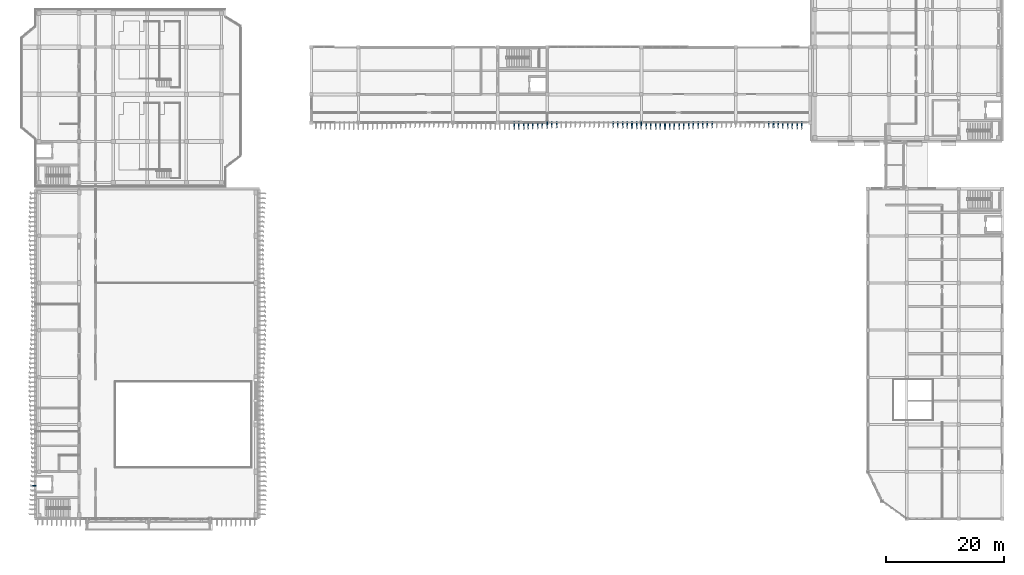
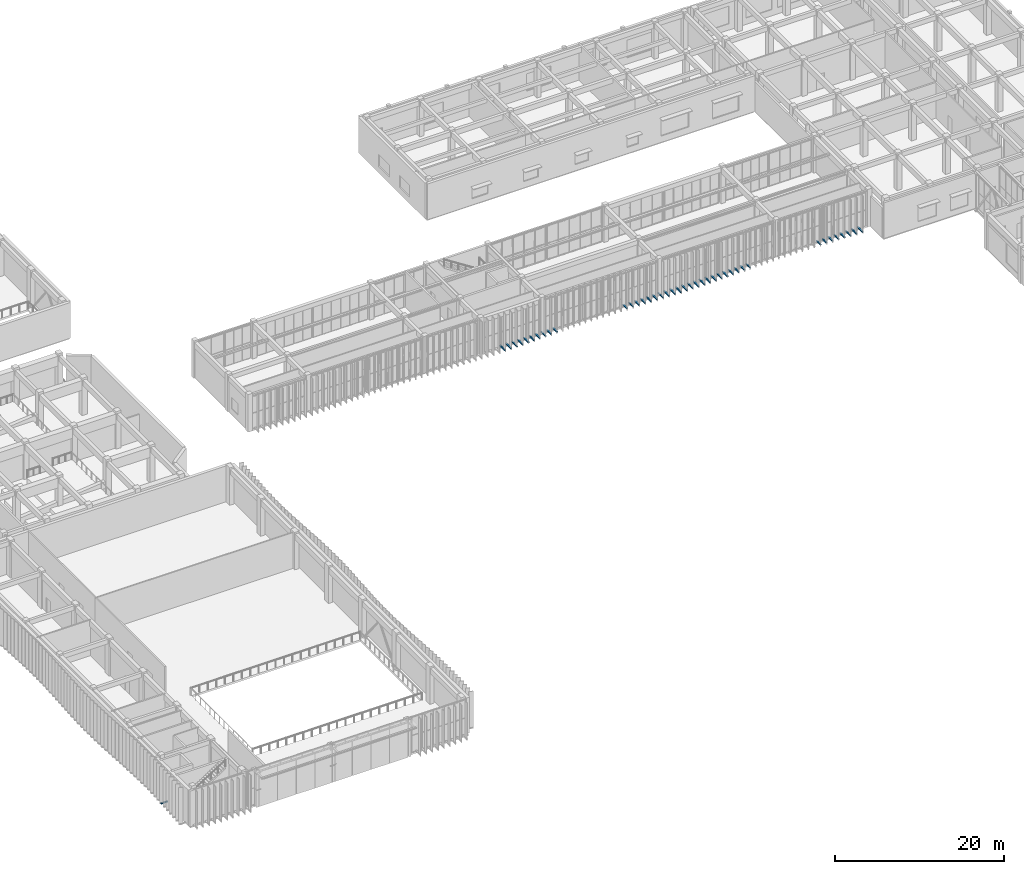
# One storey, part 49 of 64: 41 discrete accessories.
"""IFC4 building model written with IfcOpenShell, lengths in metres."""

from ifc_helpers import new_model, si_unit, direction, frame, origin, origin_2d, place, context, subcontext, project, spatial, rectangle, extrude, material, type_object, element, save


model = new_model("IFC4")

# Units and contexts
model_context = context("Model", 3, precision=1e-05, world=origin(), true_north=direction((0.0, 1.0)))
body_context = subcontext(model_context, "Body", "Model", "MODEL_VIEW")
ifc_project = project(units=[si_unit("LENGTHUNIT", "METRE"), si_unit("AREAUNIT", "SQUARE_METRE"), si_unit("VOLUMEUNIT", "CUBIC_METRE"), si_unit("PLANEANGLEUNIT", "RADIAN"), si_unit("MASSUNIT", "GRAM", prefix="KILO")], contexts=[model_context])

# Site, building, storey
site_placement = place(None, origin())
site = spatial("IfcSite", under=ifc_project, at=site_placement, CompositionType="ELEMENT")
building_placement = place(site_placement, origin())
building = spatial("IfcBuilding", under=site, at=building_placement, Name="Cinchona Park Media Centre", CompositionType="ELEMENT")
storey_placement = place(building_placement, frame((0.0, 0.0, 10.199951171875)))
storey = spatial("IfcBuildingStorey", under=building, at=storey_placement, Name="L02", CompositionType="ELEMENT", Elevation=10.199951171875)

# Discrete accessories
ifc_material = material(Name="Steel S355", Category="steel")
discrete_accessory_type = type_object("IfcDiscreteAccessoryType", Name="BRACKET-BRK01", PredefinedType="BRACKET", material=ifc_material)
discrete_accessory_1_placement = place(storey_placement, frame((7.68994140625, 13.199951171875, 0.0400390625), z_axis=(0.0, 0.0, 1.0), x_axis=(0.0, -1.0, 0.0)))
element("IfcDiscreteAccessory", 1, at=discrete_accessory_1_placement, inside=storey, type_object=discrete_accessory_type, Name="Facade Fin Outrigger Bracket L02", PredefinedType="BRACKET", context=body_context, shape_type="SweptSolid", body=[
    extrude(rectangle(XDim=0.179931640625, YDim=0.93994140625, at=origin_2d()), origin(), (0.0, 0.0, 1.0), 0.159912109375),
])
discrete_accessory_2_placement = place(storey_placement, frame((89.199951171875, 74.322998046875, 0.0400390625), z_axis=(0.0, 0.0, 1.0), x_axis=(1.0, 0.0, 0.0)))
element("IfcDiscreteAccessory", 2, at=discrete_accessory_2_placement, inside=storey, type_object=discrete_accessory_type, Name="Facade Fin Outrigger Bracket L02", PredefinedType="BRACKET", context=body_context, shape_type="SweptSolid", body=[
    extrude(rectangle(XDim=0.179931640625, YDim=1.27392578125, at=origin_2d()), origin(), (0.0, 0.0, 1.0), 0.159912109375),
])
discrete_accessory_3_placement = place(storey_placement, frame((90.0, 74.3291015625, 0.0400390625), z_axis=(0.0, 0.0, 1.0), x_axis=(1.0, 0.0, 0.0)))
element("IfcDiscreteAccessory", 3, at=discrete_accessory_3_placement, inside=storey, type_object=discrete_accessory_type, Name="Facade Fin Outrigger Bracket L02", PredefinedType="BRACKET", context=body_context, shape_type="SweptSolid", body=[
    extrude(rectangle(XDim=0.179931640625, YDim=1.260986328125, at=origin_2d()), origin(), (0.0, 0.0, 1.0), 0.159912109375),
])
discrete_accessory_4_placement = place(storey_placement, frame((90.800048828125, 74.339111328125, 0.0400390625), z_axis=(0.0, 0.0, 1.0), x_axis=(1.0, 0.0, 0.0)))
element("IfcDiscreteAccessory", 4, at=discrete_accessory_4_placement, inside=storey, type_object=discrete_accessory_type, Name="Facade Fin Outrigger Bracket L02", PredefinedType="BRACKET", context=body_context, shape_type="SweptSolid", body=[
    extrude(rectangle(XDim=0.179931640625, YDim=1.240966796875, at=origin_2d()), origin(), (0.0, 0.0, 1.0), 0.159912109375),
])
discrete_accessory_5_placement = place(storey_placement, frame((91.60009765625, 74.35302734375, 0.0400390625), z_axis=(0.0, 0.0, 1.0), x_axis=(1.0, 0.0, 0.0)))
element("IfcDiscreteAccessory", 5, at=discrete_accessory_5_placement, inside=storey, type_object=discrete_accessory_type, Name="Facade Fin Outrigger Bracket L02", PredefinedType="BRACKET", context=body_context, shape_type="SweptSolid", body=[
    extrude(rectangle(XDim=0.179931640625, YDim=1.215087890625, at=origin_2d()), origin(), (0.0, 0.0, 1.0), 0.159912109375),
])
discrete_accessory_6_placement = place(storey_placement, frame((92.39990234375, 74.367919921875, 0.0400390625), z_axis=(0.0, 0.0, 1.0), x_axis=(1.0, 0.0, 0.0)))
element("IfcDiscreteAccessory", 6, at=discrete_accessory_6_placement, inside=storey, type_object=discrete_accessory_type, Name="Facade Fin Outrigger Bracket L02", PredefinedType="BRACKET", context=body_context, shape_type="SweptSolid", body=[
    extrude(rectangle(XDim=0.179931640625, YDim=1.18408203125, at=origin_2d()), origin(), (0.0, 0.0, 1.0), 0.159912109375),
])
discrete_accessory_7_placement = place(storey_placement, frame((93.199951171875, 74.385986328125, 0.0400390625), z_axis=(0.0, 0.0, 1.0), x_axis=(1.0, 0.0, 0.0)))
element("IfcDiscreteAccessory", 7, at=discrete_accessory_7_placement, inside=storey, type_object=discrete_accessory_type, Name="Facade Fin Outrigger Bracket L02", PredefinedType="BRACKET", context=body_context, shape_type="SweptSolid", body=[
    extrude(rectangle(XDim=0.179931640625, YDim=1.14794921875, at=origin_2d()), origin(), (0.0, 0.0, 1.0), 0.159912109375),
])
discrete_accessory_8_placement = place(storey_placement, frame((94.0, 74.405029296875, 0.0400390625), z_axis=(0.0, 0.0, 1.0), x_axis=(1.0, 0.0, 0.0)))
element("IfcDiscreteAccessory", 8, at=discrete_accessory_8_placement, inside=storey, type_object=discrete_accessory_type, Name="Facade Fin Outrigger Bracket L02", PredefinedType="BRACKET", context=body_context, shape_type="SweptSolid", body=[
    extrude(rectangle(XDim=0.179931640625, YDim=1.110107421875, at=origin_2d()), origin(), (0.0, 0.0, 1.0), 0.159912109375),
])
discrete_accessory_9_placement = place(storey_placement, frame((94.800048828125, 74.425048828125, 0.0400390625), z_axis=(0.0, 0.0, 1.0), x_axis=(1.0, 0.0, 0.0)))
element("IfcDiscreteAccessory", 9, at=discrete_accessory_9_placement, inside=storey, type_object=discrete_accessory_type, Name="Facade Fin Outrigger Bracket L02", PredefinedType="BRACKET", context=body_context, shape_type="SweptSolid", body=[
    extrude(rectangle(XDim=0.179931640625, YDim=1.070068359375, at=origin_2d()), origin(), (0.0, 0.0, 1.0), 0.159912109375),
])
discrete_accessory_10_placement = place(storey_placement, frame((95.60009765625, 74.445068359375, 0.0400390625), z_axis=(0.0, 0.0, 1.0), x_axis=(1.0, 0.0, 0.0)))
element("IfcDiscreteAccessory", 10, at=discrete_accessory_10_placement, inside=storey, type_object=discrete_accessory_type, Name="Facade Fin Outrigger Bracket L02", PredefinedType="BRACKET", context=body_context, shape_type="SweptSolid", body=[
    extrude(rectangle(XDim=0.179931640625, YDim=1.030029296875, at=origin_2d()), origin(), (0.0, 0.0, 1.0), 0.159912109375),
])
discrete_accessory_11_placement = place(storey_placement, frame((96.39990234375, 74.464111328125, 0.0400390625), z_axis=(0.0, 0.0, 1.0), x_axis=(1.0, 0.0, 0.0)))
element("IfcDiscreteAccessory", 11, at=discrete_accessory_11_placement, inside=storey, type_object=discrete_accessory_type, Name="Facade Fin Outrigger Bracket L02", PredefinedType="BRACKET", context=body_context, shape_type="SweptSolid", body=[
    extrude(rectangle(XDim=0.179931640625, YDim=0.991943359375, at=origin_2d()), origin(), (0.0, 0.0, 1.0), 0.159912109375),
])
discrete_accessory_12_placement = place(storey_placement, frame((106.0, 74.472900390625, 0.0400390625), z_axis=(0.0, 0.0, 1.0), x_axis=(1.0, 0.0, 0.0)))
element("IfcDiscreteAccessory", 12, at=discrete_accessory_12_placement, inside=storey, type_object=discrete_accessory_type, Name="Facade Fin Outrigger Bracket L02", PredefinedType="BRACKET", context=body_context, shape_type="SweptSolid", body=[
    extrude(rectangle(XDim=0.179931640625, YDim=0.97412109375, at=origin_2d()), origin(), (0.0, 0.0, 1.0), 0.159912109375),
])
discrete_accessory_13_placement = place(storey_placement, frame((106.800048828125, 74.455078125, 0.0400390625), z_axis=(0.0, 0.0, 1.0), x_axis=(1.0, 0.0, 0.0)))
element("IfcDiscreteAccessory", 13, at=discrete_accessory_13_placement, inside=storey, type_object=discrete_accessory_type, Name="Facade Fin Outrigger Bracket L02", PredefinedType="BRACKET", context=body_context, shape_type="SweptSolid", body=[
    extrude(rectangle(XDim=0.179931640625, YDim=1.010986328125, at=origin_2d()), origin(), (0.0, 0.0, 1.0), 0.159912109375),
])
discrete_accessory_14_placement = place(storey_placement, frame((107.60009765625, 74.43505859375, 0.0400390625), z_axis=(0.0, 0.0, 1.0), x_axis=(1.0, 0.0, 0.0)))
element("IfcDiscreteAccessory", 14, at=discrete_accessory_14_placement, inside=storey, type_object=discrete_accessory_type, Name="Facade Fin Outrigger Bracket L02", PredefinedType="BRACKET", context=body_context, shape_type="SweptSolid", body=[
    extrude(rectangle(XDim=0.179931640625, YDim=1.050048828125, at=origin_2d()), origin(), (0.0, 0.0, 1.0), 0.159912109375),
])
discrete_accessory_15_placement = place(storey_placement, frame((108.39990234375, 74.4150390625, 0.0400390625), z_axis=(0.0, 0.0, 1.0), x_axis=(1.0, 0.0, 0.0)))
element("IfcDiscreteAccessory", 15, at=discrete_accessory_15_placement, inside=storey, type_object=discrete_accessory_type, Name="Facade Fin Outrigger Bracket L02", PredefinedType="BRACKET", context=body_context, shape_type="SweptSolid", body=[
    extrude(rectangle(XDim=0.179931640625, YDim=1.090087890625, at=origin_2d()), origin(), (0.0, 0.0, 1.0), 0.159912109375),
])
discrete_accessory_16_placement = place(storey_placement, frame((109.199951171875, 74.39501953125, 0.0400390625), z_axis=(0.0, 0.0, 1.0), x_axis=(1.0, 0.0, 0.0)))
element("IfcDiscreteAccessory", 16, at=discrete_accessory_16_placement, inside=storey, type_object=discrete_accessory_type, Name="Facade Fin Outrigger Bracket L02", PredefinedType="BRACKET", context=body_context, shape_type="SweptSolid", body=[
    extrude(rectangle(XDim=0.179931640625, YDim=1.12890625, at=origin_2d()), origin(), (0.0, 0.0, 1.0), 0.159912109375),
])
discrete_accessory_17_placement = place(storey_placement, frame((110.0, 74.376953125, 0.0400390625), z_axis=(0.0, 0.0, 1.0), x_axis=(1.0, 0.0, 0.0)))
element("IfcDiscreteAccessory", 17, at=discrete_accessory_17_placement, inside=storey, type_object=discrete_accessory_type, Name="Facade Fin Outrigger Bracket L02", PredefinedType="BRACKET", context=body_context, shape_type="SweptSolid", body=[
    extrude(rectangle(XDim=0.179931640625, YDim=1.166015625, at=origin_2d()), origin(), (0.0, 0.0, 1.0), 0.159912109375),
])
discrete_accessory_18_placement = place(storey_placement, frame((110.800048828125, 74.360107421875, 0.0400390625), z_axis=(0.0, 0.0, 1.0), x_axis=(1.0, 0.0, 0.0)))
element("IfcDiscreteAccessory", 18, at=discrete_accessory_18_placement, inside=storey, type_object=discrete_accessory_type, Name="Facade Fin Outrigger Bracket L02", PredefinedType="BRACKET", context=body_context, shape_type="SweptSolid", body=[
    extrude(rectangle(XDim=0.179931640625, YDim=1.199951171875, at=origin_2d()), origin(), (0.0, 0.0, 1.0), 0.159912109375),
])
discrete_accessory_19_placement = place(storey_placement, frame((111.60009765625, 74.345947265625, 0.0400390625), z_axis=(0.0, 0.0, 1.0), x_axis=(1.0, 0.0, 0.0)))
element("IfcDiscreteAccessory", 19, at=discrete_accessory_19_placement, inside=storey, type_object=discrete_accessory_type, Name="Facade Fin Outrigger Bracket L02", PredefinedType="BRACKET", context=body_context, shape_type="SweptSolid", body=[
    extrude(rectangle(XDim=0.179931640625, YDim=1.22900390625, at=origin_2d()), origin(), (0.0, 0.0, 1.0), 0.159912109375),
])
discrete_accessory_20_placement = place(storey_placement, frame((112.39990234375, 74.333984375, 0.0400390625), z_axis=(0.0, 0.0, 1.0), x_axis=(1.0, 0.0, 0.0)))
element("IfcDiscreteAccessory", 20, at=discrete_accessory_20_placement, inside=storey, type_object=discrete_accessory_type, Name="Facade Fin Outrigger Bracket L02", PredefinedType="BRACKET", context=body_context, shape_type="SweptSolid", body=[
    extrude(rectangle(XDim=0.179931640625, YDim=1.251953125, at=origin_2d()), origin(), (0.0, 0.0, 1.0), 0.159912109375),
])
discrete_accessory_21_placement = place(storey_placement, frame((113.199951171875, 74.325927734375, 0.0400390625), z_axis=(0.0, 0.0, 1.0), x_axis=(1.0, 0.0, 0.0)))
element("IfcDiscreteAccessory", 21, at=discrete_accessory_21_placement, inside=storey, type_object=discrete_accessory_type, Name="Facade Fin Outrigger Bracket L02", PredefinedType="BRACKET", context=body_context, shape_type="SweptSolid", body=[
    extrude(rectangle(XDim=0.179931640625, YDim=1.26806640625, at=origin_2d()), origin(), (0.0, 0.0, 1.0), 0.159912109375),
])
discrete_accessory_22_placement = place(storey_placement, frame((114.0, 74.321044921875, 0.0400390625), z_axis=(0.0, 0.0, 1.0), x_axis=(1.0, 0.0, 0.0)))
element("IfcDiscreteAccessory", 22, at=discrete_accessory_22_placement, inside=storey, type_object=discrete_accessory_type, Name="Facade Fin Outrigger Bracket L02", PredefinedType="BRACKET", context=body_context, shape_type="SweptSolid", body=[
    extrude(rectangle(XDim=0.179931640625, YDim=1.278076171875, at=origin_2d()), origin(), (0.0, 0.0, 1.0), 0.159912109375),
])
discrete_accessory_23_placement = place(storey_placement, frame((114.800048828125, 74.320068359375, 0.0400390625), z_axis=(0.0, 0.0, 1.0), x_axis=(1.0, 0.0, 0.0)))
element("IfcDiscreteAccessory", 23, at=discrete_accessory_23_placement, inside=storey, type_object=discrete_accessory_type, Name="Facade Fin Outrigger Bracket L02", PredefinedType="BRACKET", context=body_context, shape_type="SweptSolid", body=[
    extrude(rectangle(XDim=0.179931640625, YDim=1.280029296875, at=origin_2d()), origin(), (0.0, 0.0, 1.0), 0.159912109375),
])
discrete_accessory_24_placement = place(storey_placement, frame((115.60009765625, 74.322998046875, 0.0400390625), z_axis=(0.0, 0.0, 1.0), x_axis=(1.0, 0.0, 0.0)))
element("IfcDiscreteAccessory", 24, at=discrete_accessory_24_placement, inside=storey, type_object=discrete_accessory_type, Name="Facade Fin Outrigger Bracket L02", PredefinedType="BRACKET", context=body_context, shape_type="SweptSolid", body=[
    extrude(rectangle(XDim=0.179931640625, YDim=1.27392578125, at=origin_2d()), origin(), (0.0, 0.0, 1.0), 0.159912109375),
])
discrete_accessory_25_placement = place(storey_placement, frame((116.39990234375, 74.3291015625, 0.0400390625), z_axis=(0.0, 0.0, 1.0), x_axis=(1.0, 0.0, 0.0)))
element("IfcDiscreteAccessory", 25, at=discrete_accessory_25_placement, inside=storey, type_object=discrete_accessory_type, Name="Facade Fin Outrigger Bracket L02", PredefinedType="BRACKET", context=body_context, shape_type="SweptSolid", body=[
    extrude(rectangle(XDim=0.179931640625, YDim=1.260986328125, at=origin_2d()), origin(), (0.0, 0.0, 1.0), 0.159912109375),
])
discrete_accessory_26_placement = place(storey_placement, frame((117.199951171875, 74.339111328125, 0.0400390625), z_axis=(0.0, 0.0, 1.0), x_axis=(1.0, 0.0, 0.0)))
element("IfcDiscreteAccessory", 26, at=discrete_accessory_26_placement, inside=storey, type_object=discrete_accessory_type, Name="Facade Fin Outrigger Bracket L02", PredefinedType="BRACKET", context=body_context, shape_type="SweptSolid", body=[
    extrude(rectangle(XDim=0.179931640625, YDim=1.240966796875, at=origin_2d()), origin(), (0.0, 0.0, 1.0), 0.159912109375),
])
discrete_accessory_27_placement = place(storey_placement, frame((118.0, 74.35302734375, 0.0400390625), z_axis=(0.0, 0.0, 1.0), x_axis=(1.0, 0.0, 0.0)))
element("IfcDiscreteAccessory", 27, at=discrete_accessory_27_placement, inside=storey, type_object=discrete_accessory_type, Name="Facade Fin Outrigger Bracket L02", PredefinedType="BRACKET", context=body_context, shape_type="SweptSolid", body=[
    extrude(rectangle(XDim=0.179931640625, YDim=1.215087890625, at=origin_2d()), origin(), (0.0, 0.0, 1.0), 0.159912109375),
])
discrete_accessory_28_placement = place(storey_placement, frame((118.800048828125, 74.367919921875, 0.0400390625), z_axis=(0.0, 0.0, 1.0), x_axis=(1.0, 0.0, 0.0)))
element("IfcDiscreteAccessory", 28, at=discrete_accessory_28_placement, inside=storey, type_object=discrete_accessory_type, Name="Facade Fin Outrigger Bracket L02", PredefinedType="BRACKET", context=body_context, shape_type="SweptSolid", body=[
    extrude(rectangle(XDim=0.179931640625, YDim=1.18408203125, at=origin_2d()), origin(), (0.0, 0.0, 1.0), 0.159912109375),
])
discrete_accessory_29_placement = place(storey_placement, frame((119.60009765625, 74.385986328125, 0.0400390625), z_axis=(0.0, 0.0, 1.0), x_axis=(1.0, 0.0, 0.0)))
element("IfcDiscreteAccessory", 29, at=discrete_accessory_29_placement, inside=storey, type_object=discrete_accessory_type, Name="Facade Fin Outrigger Bracket L02", PredefinedType="BRACKET", context=body_context, shape_type="SweptSolid", body=[
    extrude(rectangle(XDim=0.179931640625, YDim=1.14794921875, at=origin_2d()), origin(), (0.0, 0.0, 1.0), 0.159912109375),
])
discrete_accessory_30_placement = place(storey_placement, frame((120.39990234375, 74.405029296875, 0.0400390625), z_axis=(0.0, 0.0, 1.0), x_axis=(1.0, 0.0, 0.0)))
element("IfcDiscreteAccessory", 30, at=discrete_accessory_30_placement, inside=storey, type_object=discrete_accessory_type, Name="Facade Fin Outrigger Bracket L02", PredefinedType="BRACKET", context=body_context, shape_type="SweptSolid", body=[
    extrude(rectangle(XDim=0.179931640625, YDim=1.110107421875, at=origin_2d()), origin(), (0.0, 0.0, 1.0), 0.159912109375),
])
discrete_accessory_31_placement = place(storey_placement, frame((121.199951171875, 74.425048828125, 0.0400390625), z_axis=(0.0, 0.0, 1.0), x_axis=(1.0, 0.0, 0.0)))
element("IfcDiscreteAccessory", 31, at=discrete_accessory_31_placement, inside=storey, type_object=discrete_accessory_type, Name="Facade Fin Outrigger Bracket L02", PredefinedType="BRACKET", context=body_context, shape_type="SweptSolid", body=[
    extrude(rectangle(XDim=0.179931640625, YDim=1.070068359375, at=origin_2d()), origin(), (0.0, 0.0, 1.0), 0.159912109375),
])
discrete_accessory_32_placement = place(storey_placement, frame((122.0, 74.445068359375, 0.0400390625), z_axis=(0.0, 0.0, 1.0), x_axis=(1.0, 0.0, 0.0)))
element("IfcDiscreteAccessory", 32, at=discrete_accessory_32_placement, inside=storey, type_object=discrete_accessory_type, Name="Facade Fin Outrigger Bracket L02", PredefinedType="BRACKET", context=body_context, shape_type="SweptSolid", body=[
    extrude(rectangle(XDim=0.179931640625, YDim=1.030029296875, at=origin_2d()), origin(), (0.0, 0.0, 1.0), 0.159912109375),
])
discrete_accessory_33_placement = place(storey_placement, frame((122.800048828125, 74.464111328125, 0.0400390625), z_axis=(0.0, 0.0, 1.0), x_axis=(1.0, 0.0, 0.0)))
element("IfcDiscreteAccessory", 33, at=discrete_accessory_33_placement, inside=storey, type_object=discrete_accessory_type, Name="Facade Fin Outrigger Bracket L02", PredefinedType="BRACKET", context=body_context, shape_type="SweptSolid", body=[
    extrude(rectangle(XDim=0.179931640625, YDim=0.991943359375, at=origin_2d()), origin(), (0.0, 0.0, 1.0), 0.159912109375),
])
discrete_accessory_34_placement = place(storey_placement, frame((132.39990234375, 74.472900390625, 0.0400390625), z_axis=(0.0, 0.0, 1.0), x_axis=(1.0, 0.0, 0.0)))
element("IfcDiscreteAccessory", 34, at=discrete_accessory_34_placement, inside=storey, type_object=discrete_accessory_type, Name="Facade Fin Outrigger Bracket L02", PredefinedType="BRACKET", context=body_context, shape_type="SweptSolid", body=[
    extrude(rectangle(XDim=0.179931640625, YDim=0.97412109375, at=origin_2d()), origin(), (0.0, 0.0, 1.0), 0.159912109375),
])
discrete_accessory_35_placement = place(storey_placement, frame((133.199951171875, 74.455078125, 0.0400390625), z_axis=(0.0, 0.0, 1.0), x_axis=(1.0, 0.0, 0.0)))
element("IfcDiscreteAccessory", 35, at=discrete_accessory_35_placement, inside=storey, type_object=discrete_accessory_type, Name="Facade Fin Outrigger Bracket L02", PredefinedType="BRACKET", context=body_context, shape_type="SweptSolid", body=[
    extrude(rectangle(XDim=0.179931640625, YDim=1.010986328125, at=origin_2d()), origin(), (0.0, 0.0, 1.0), 0.159912109375),
])
discrete_accessory_36_placement = place(storey_placement, frame((134.0, 74.43505859375, 0.0400390625), z_axis=(0.0, 0.0, 1.0), x_axis=(1.0, 0.0, 0.0)))
element("IfcDiscreteAccessory", 36, at=discrete_accessory_36_placement, inside=storey, type_object=discrete_accessory_type, Name="Facade Fin Outrigger Bracket L02", PredefinedType="BRACKET", context=body_context, shape_type="SweptSolid", body=[
    extrude(rectangle(XDim=0.179931640625, YDim=1.050048828125, at=origin_2d()), origin(), (0.0, 0.0, 1.0), 0.159912109375),
])
discrete_accessory_37_placement = place(storey_placement, frame((134.800048828125, 74.4150390625, 0.0400390625), z_axis=(0.0, 0.0, 1.0), x_axis=(1.0, 0.0, 0.0)))
element("IfcDiscreteAccessory", 37, at=discrete_accessory_37_placement, inside=storey, type_object=discrete_accessory_type, Name="Facade Fin Outrigger Bracket L02", PredefinedType="BRACKET", context=body_context, shape_type="SweptSolid", body=[
    extrude(rectangle(XDim=0.179931640625, YDim=1.090087890625, at=origin_2d()), origin(), (0.0, 0.0, 1.0), 0.159912109375),
])
discrete_accessory_38_placement = place(storey_placement, frame((135.60009765625, 74.39501953125, 0.0400390625), z_axis=(0.0, 0.0, 1.0), x_axis=(1.0, 0.0, 0.0)))
element("IfcDiscreteAccessory", 38, at=discrete_accessory_38_placement, inside=storey, type_object=discrete_accessory_type, Name="Facade Fin Outrigger Bracket L02", PredefinedType="BRACKET", context=body_context, shape_type="SweptSolid", body=[
    extrude(rectangle(XDim=0.179931640625, YDim=1.12890625, at=origin_2d()), origin(), (0.0, 0.0, 1.0), 0.159912109375),
])
discrete_accessory_39_placement = place(storey_placement, frame((136.39990234375, 74.376953125, 0.0400390625), z_axis=(0.0, 0.0, 1.0), x_axis=(1.0, 0.0, 0.0)))
element("IfcDiscreteAccessory", 39, at=discrete_accessory_39_placement, inside=storey, type_object=discrete_accessory_type, Name="Facade Fin Outrigger Bracket L02", PredefinedType="BRACKET", context=body_context, shape_type="SweptSolid", body=[
    extrude(rectangle(XDim=0.179931640625, YDim=1.166015625, at=origin_2d()), origin(), (0.0, 0.0, 1.0), 0.159912109375),
])
discrete_accessory_40_placement = place(storey_placement, frame((137.199951171875, 74.360107421875, 0.0400390625), z_axis=(0.0, 0.0, 1.0), x_axis=(1.0, 0.0, 0.0)))
element("IfcDiscreteAccessory", 40, at=discrete_accessory_40_placement, inside=storey, type_object=discrete_accessory_type, Name="Facade Fin Outrigger Bracket L02", PredefinedType="BRACKET", context=body_context, shape_type="SweptSolid", body=[
    extrude(rectangle(XDim=0.179931640625, YDim=1.199951171875, at=origin_2d()), origin(), (0.0, 0.0, 1.0), 0.159912109375),
])
discrete_accessory_41_placement = place(storey_placement, frame((138.0, 74.345947265625, 0.0400390625), z_axis=(0.0, 0.0, 1.0), x_axis=(1.0, 0.0, 0.0)))
element("IfcDiscreteAccessory", 41, at=discrete_accessory_41_placement, inside=storey, type_object=discrete_accessory_type, Name="Facade Fin Outrigger Bracket L02", PredefinedType="BRACKET", context=body_context, shape_type="SweptSolid", body=[
    extrude(rectangle(XDim=0.179931640625, YDim=1.22900390625, at=origin_2d()), origin(), (0.0, 0.0, 1.0), 0.159912109375),
])

save(model, "model.ifc")
